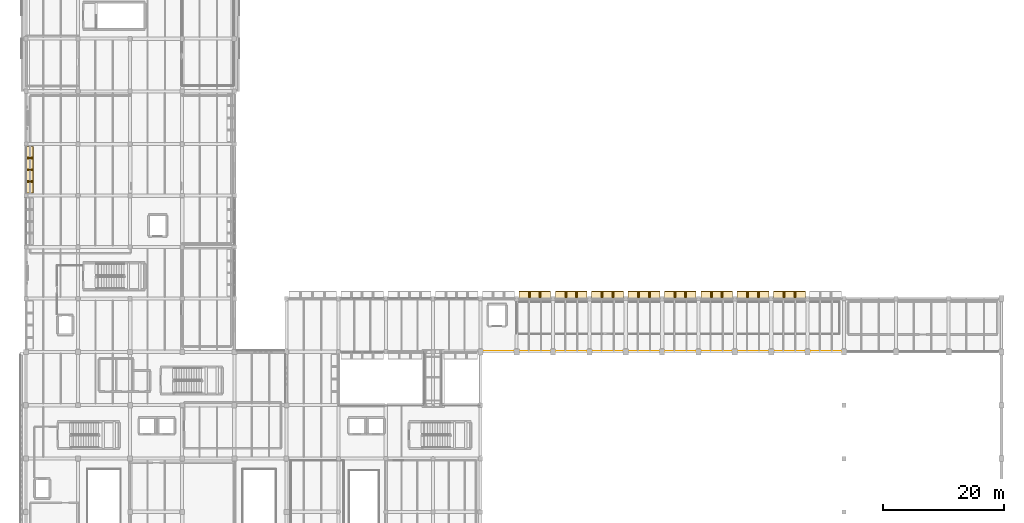
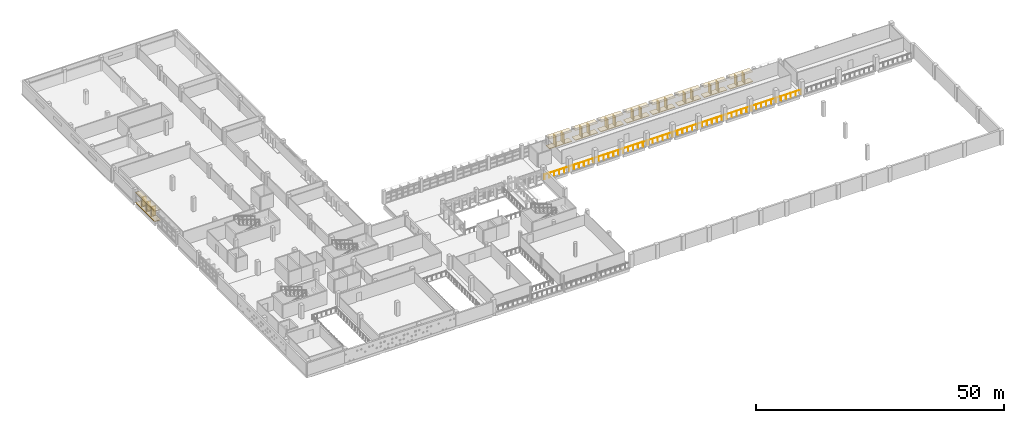
# One storey, part 73 of 75: 19 shading devices, 18 coverings, 1 railing.
"""IFC4 building model written with IfcOpenShell, lengths in metres."""

from ifc_helpers import new_model, si_unit, direction, frame, origin, origin_2d, place, context, subcontext, project, spatial, polyline, rectangle, circle, outline, extrude, material, layer, layer_set, type_object, element, save


model = new_model("IFC4")

# Units and contexts
model_context = context("Model", 3, precision=1e-05, world=origin(), true_north=direction((0.0, 1.0)))
body_context = subcontext(model_context, "Body", "Model", "MODEL_VIEW")
ifc_project = project(units=[si_unit("LENGTHUNIT", "METRE"), si_unit("AREAUNIT", "SQUARE_METRE"), si_unit("VOLUMEUNIT", "CUBIC_METRE"), si_unit("PLANEANGLEUNIT", "RADIAN"), si_unit("MASSUNIT", "GRAM", prefix="KILO")], contexts=[model_context])

# Site, building, storey
site_placement = place(None, origin())
site = spatial("IfcSite", under=ifc_project, at=site_placement, CompositionType="ELEMENT")
building_placement = place(site_placement, origin())
building = spatial("IfcBuilding", under=site, at=building_placement, Name="Varnakota Cinema and Media Centre", CompositionType="ELEMENT")
storey_placement = place(building_placement, frame((0.0, 0.0, 8.39990234375)))
storey = spatial("IfcBuildingStorey", under=building, at=storey_placement, Name="L02", CompositionType="ELEMENT", Elevation=8.39990234375)

# Coverings
ifc_material_1 = material(Name="Precast concrete M40", Category="concrete")
ifc_layer_1 = layer(ifc_material_1, 0.159912109375)
ifc_layer_set_1 = layer_set([ifc_layer_1], Name="Precast concrete M40")
covering_type = type_object("IfcCoveringType", Name="COV-CHAJJA-160", PredefinedType="CLADDING", material=ifc_layer_set_1)
covering_1_placement = place(storey_placement, frame((0.0, 0.0, 2.4150390625)))
element("IfcCovering", 1, at=covering_1_placement, inside=storey, type_object=covering_type, Name="L02 Brutalist chajja overhang V1-N-2", PredefinedType="CLADDING", context=body_context, shape_type="SweptSolid", body=[
    extrude(outline(polyline([(81.364990234375, 43.820068359375), (86.610107421875, 43.820068359375), (86.610107421875, 45.219970703125), (81.364990234375, 45.219970703125), (81.364990234375, 43.820068359375)])), origin(), (0.0, 0.0, 1.0), 0.16015625),
])
covering_2_placement = place(storey_placement, origin())
element("IfcCovering", 2, at=covering_2_placement, inside=storey, type_object=covering_type, Name="L02 brise-soleil base plinth V1-N-2", PredefinedType="CLADDING", context=body_context, shape_type="SweptSolid", body=[
    extrude(outline(polyline([(81.364990234375, 43.820068359375), (86.610107421875, 43.820068359375), (86.610107421875, 45.179931640625), (81.364990234375, 45.179931640625), (81.364990234375, 43.820068359375)])), origin(), (0.0, 0.0, 1.0), 0.16015625),
])
covering_3_placement = place(storey_placement, frame((0.0, 0.0, 2.4150390625)))
element("IfcCovering", 3, at=covering_3_placement, inside=storey, type_object=covering_type, Name="L02 Brutalist chajja overhang V1-N-3", PredefinedType="CLADDING", context=body_context, shape_type="SweptSolid", body=[
    extrude(outline(polyline([(87.389892578125, 43.820068359375), (92.635009765625, 43.820068359375), (92.635009765625, 45.219970703125), (87.389892578125, 45.219970703125), (87.389892578125, 43.820068359375)])), origin(), (0.0, 0.0, 1.0), 0.16015625),
])
covering_4_placement = place(storey_placement, origin())
element("IfcCovering", 4, at=covering_4_placement, inside=storey, type_object=covering_type, Name="L02 brise-soleil base plinth V1-N-3", PredefinedType="CLADDING", context=body_context, shape_type="SweptSolid", body=[
    extrude(outline(polyline([(87.389892578125, 43.820068359375), (92.635009765625, 43.820068359375), (92.635009765625, 45.179931640625), (87.389892578125, 45.179931640625), (87.389892578125, 43.820068359375)])), origin(), (0.0, 0.0, 1.0), 0.16015625),
])
covering_5_placement = place(storey_placement, frame((0.0, 0.0, 2.4150390625)))
element("IfcCovering", 5, at=covering_5_placement, inside=storey, type_object=covering_type, Name="L02 Brutalist chajja overhang V1-N-4", PredefinedType="CLADDING", context=body_context, shape_type="SweptSolid", body=[
    extrude(outline(polyline([(93.364990234375, 43.820068359375), (98.610107421875, 43.820068359375), (98.610107421875, 45.219970703125), (93.364990234375, 45.219970703125), (93.364990234375, 43.820068359375)])), origin(), (0.0, 0.0, 1.0), 0.16015625),
])
covering_6_placement = place(storey_placement, origin())
element("IfcCovering", 6, at=covering_6_placement, inside=storey, type_object=covering_type, Name="L02 brise-soleil base plinth V1-N-4", PredefinedType="CLADDING", context=body_context, shape_type="SweptSolid", body=[
    extrude(outline(polyline([(93.364990234375, 43.820068359375), (98.610107421875, 43.820068359375), (98.610107421875, 45.179931640625), (93.364990234375, 45.179931640625), (93.364990234375, 43.820068359375)])), origin(), (0.0, 0.0, 1.0), 0.16015625),
])
covering_7_placement = place(storey_placement, frame((0.0, 0.0, 2.4150390625)))
element("IfcCovering", 7, at=covering_7_placement, inside=storey, type_object=covering_type, Name="L02 Brutalist chajja overhang V1-N-5", PredefinedType="CLADDING", context=body_context, shape_type="SweptSolid", body=[
    extrude(outline(polyline([(99.389892578125, 43.820068359375), (104.635009765625, 43.820068359375), (104.635009765625, 45.219970703125), (99.389892578125, 45.219970703125), (99.389892578125, 43.820068359375)])), origin(), (0.0, 0.0, 1.0), 0.16015625),
])
covering_8_placement = place(storey_placement, origin())
element("IfcCovering", 8, at=covering_8_placement, inside=storey, type_object=covering_type, Name="L02 brise-soleil base plinth V1-N-5", PredefinedType="CLADDING", context=body_context, shape_type="SweptSolid", body=[
    extrude(outline(polyline([(99.389892578125, 43.820068359375), (104.635009765625, 43.820068359375), (104.635009765625, 45.179931640625), (99.389892578125, 45.179931640625), (99.389892578125, 43.820068359375)])), origin(), (0.0, 0.0, 1.0), 0.16015625),
])
covering_9_placement = place(storey_placement, frame((0.0, 0.0, 2.4150390625)))
element("IfcCovering", 9, at=covering_9_placement, inside=storey, type_object=covering_type, Name="L02 Brutalist chajja overhang V1-N-6", PredefinedType="CLADDING", context=body_context, shape_type="SweptSolid", body=[
    extrude(outline(polyline([(105.364990234375, 43.820068359375), (110.610107421875, 43.820068359375), (110.610107421875, 45.219970703125), (105.364990234375, 45.219970703125), (105.364990234375, 43.820068359375)])), origin(), (0.0, 0.0, 1.0), 0.16015625),
])
covering_10_placement = place(storey_placement, origin())
element("IfcCovering", 10, at=covering_10_placement, inside=storey, type_object=covering_type, Name="L02 brise-soleil base plinth V1-N-6", PredefinedType="CLADDING", context=body_context, shape_type="SweptSolid", body=[
    extrude(outline(polyline([(105.364990234375, 43.820068359375), (110.610107421875, 43.820068359375), (110.610107421875, 45.179931640625), (105.364990234375, 45.179931640625), (105.364990234375, 43.820068359375)])), origin(), (0.0, 0.0, 1.0), 0.16015625),
])
covering_11_placement = place(storey_placement, frame((0.0, 0.0, 2.4150390625)))
element("IfcCovering", 11, at=covering_11_placement, inside=storey, type_object=covering_type, Name="L02 Brutalist chajja overhang V1-N-7", PredefinedType="CLADDING", context=body_context, shape_type="SweptSolid", body=[
    extrude(outline(polyline([(111.389892578125, 43.820068359375), (116.635009765625, 43.820068359375), (116.635009765625, 45.219970703125), (111.389892578125, 45.219970703125), (111.389892578125, 43.820068359375)])), origin(), (0.0, 0.0, 1.0), 0.16015625),
])
covering_12_placement = place(storey_placement, origin())
element("IfcCovering", 12, at=covering_12_placement, inside=storey, type_object=covering_type, Name="L02 brise-soleil base plinth V1-N-7", PredefinedType="CLADDING", context=body_context, shape_type="SweptSolid", body=[
    extrude(outline(polyline([(111.389892578125, 43.820068359375), (116.635009765625, 43.820068359375), (116.635009765625, 45.179931640625), (111.389892578125, 45.179931640625), (111.389892578125, 43.820068359375)])), origin(), (0.0, 0.0, 1.0), 0.16015625),
])
covering_13_placement = place(storey_placement, frame((0.0, 0.0, 2.4150390625)))
element("IfcCovering", 13, at=covering_13_placement, inside=storey, type_object=covering_type, Name="L02 Brutalist chajja overhang V1-N-8", PredefinedType="CLADDING", context=body_context, shape_type="SweptSolid", body=[
    extrude(outline(polyline([(117.364990234375, 43.820068359375), (122.610107421875, 43.820068359375), (122.610107421875, 45.219970703125), (117.364990234375, 45.219970703125), (117.364990234375, 43.820068359375)])), origin(), (0.0, 0.0, 1.0), 0.16015625),
])
covering_14_placement = place(storey_placement, origin())
element("IfcCovering", 14, at=covering_14_placement, inside=storey, type_object=covering_type, Name="L02 brise-soleil base plinth V1-N-8", PredefinedType="CLADDING", context=body_context, shape_type="SweptSolid", body=[
    extrude(outline(polyline([(117.364990234375, 43.820068359375), (122.610107421875, 43.820068359375), (122.610107421875, 45.179931640625), (117.364990234375, 45.179931640625), (117.364990234375, 43.820068359375)])), origin(), (0.0, 0.0, 1.0), 0.16015625),
])
covering_15_placement = place(storey_placement, frame((0.0, 0.0, 2.4150390625)))
element("IfcCovering", 15, at=covering_15_placement, inside=storey, type_object=covering_type, Name="L02 Brutalist chajja overhang V1-N-9", PredefinedType="CLADDING", context=body_context, shape_type="SweptSolid", body=[
    extrude(outline(polyline([(123.389892578125, 43.820068359375), (128.635009765625, 43.820068359375), (128.635009765625, 45.219970703125), (123.389892578125, 45.219970703125), (123.389892578125, 43.820068359375)])), origin(), (0.0, 0.0, 1.0), 0.16015625),
])
covering_16_placement = place(storey_placement, origin())
element("IfcCovering", 16, at=covering_16_placement, inside=storey, type_object=covering_type, Name="L02 brise-soleil base plinth V1-N-9", PredefinedType="CLADDING", context=body_context, shape_type="SweptSolid", body=[
    extrude(outline(polyline([(123.389892578125, 43.820068359375), (128.635009765625, 43.820068359375), (128.635009765625, 45.179931640625), (123.389892578125, 45.179931640625), (123.389892578125, 43.820068359375)])), origin(), (0.0, 0.0, 1.0), 0.16015625),
])
covering_17_placement = place(storey_placement, frame((0.0, 0.0, 2.51513671875)))
element("IfcCovering", 17, at=covering_17_placement, inside=storey, type_object=covering_type, Name="L02 Brutalist chajja overhang V5-W-2", PredefinedType="CLADDING", context=body_context, shape_type="SweptSolid", body=[
    extrude(outline(polyline([(-0.179931640625, 69.110107421875), (-0.179931640625, 61.4150390625), (1.219970703125, 61.4150390625), (1.219970703125, 69.110107421875), (-0.179931640625, 69.110107421875)])), origin(), (0.0, 0.0, 1.0), 0.159912109375),
])
covering_18_placement = place(storey_placement, origin())
element("IfcCovering", 18, at=covering_18_placement, inside=storey, type_object=covering_type, Name="L02 brise-soleil base plinth V5-W-2", PredefinedType="CLADDING", context=body_context, shape_type="SweptSolid", body=[
    extrude(outline(polyline([(-0.179931640625, 69.110107421875), (-0.179931640625, 61.4150390625), (1.179931640625, 61.4150390625), (1.179931640625, 69.110107421875), (-0.179931640625, 69.110107421875)])), origin(), (0.0, 0.0, 1.0), 0.16015625),
])

# Railing
ifc_material_2 = material(Name="Anodised golden-bronze steel Grade 350 (E350)", Category="steel")
ifc_layer_2 = layer(ifc_material_2, 0.050048828125)
ifc_layer_set_2 = layer_set([ifc_layer_2], Name="Anodised golden-bronze steel Grade 350 (E350)")
railing_type = type_object("IfcRailingType", Name="RAIL-GUARD-1150", PredefinedType="BALUSTRADE", material=ifc_layer_set_2)
railing_placement = place(storey_placement, frame((75.280029296875, 35.260009765625, 0.0)))
element("IfcRailing", 19, at=railing_placement, inside=storey, type_object=railing_type, Name="L02 guard balustrade GRD-L02-V1CONC-1", PredefinedType="BALUSTRADE", context=body_context, shape_type="SweptSolid", body=[
    extrude(circle(Radius=0.02392578125, at=origin_2d()), frame((0.0, 0.0, 1.1259765625), z_axis=(1.0, 0.0, 0.0), x_axis=(0.0, 1.0, 0.0)), (0.0, 0.0, 1.0), 59.5400390625),
    extrude(circle(Radius=0.02099609375, at=origin_2d()), origin(), (0.0, 0.0, 1.0), 1.101806640625),
    extrude(circle(Radius=0.02099609375, at=origin_2d()), frame((1.14501953125, 0.0, 0.0)), (0.0, 0.0, 1.0), 1.101806640625),
    extrude(circle(Radius=0.02099609375, at=origin_2d()), frame((2.2900390625, 0.0, 0.0)), (0.0, 0.0, 1.0), 1.101806640625),
    extrude(circle(Radius=0.02099609375, at=origin_2d()), frame((3.43505859375, 0.0, 0.0)), (0.0, 0.0, 1.0), 1.101806640625),
    extrude(circle(Radius=0.02099609375, at=origin_2d()), frame((4.580078125, 0.0, 0.0)), (0.0, 0.0, 1.0), 1.101806640625),
    extrude(circle(Radius=0.02099609375, at=origin_2d()), frame((5.72509765625, 0.0, 0.0)), (0.0, 0.0, 1.0), 1.101806640625),
    extrude(circle(Radius=0.02099609375, at=origin_2d()), frame((6.8701171875, 0.0, 0.0)), (0.0, 0.0, 1.0), 1.101806640625),
    extrude(circle(Radius=0.02099609375, at=origin_2d()), frame((8.014892578125, 0.0, 0.0)), (0.0, 0.0, 1.0), 1.101806640625),
    extrude(circle(Radius=0.02099609375, at=origin_2d()), frame((9.159912109375, 0.0, 0.0)), (0.0, 0.0, 1.0), 1.101806640625),
    extrude(circle(Radius=0.02099609375, at=origin_2d()), frame((10.304931640625, 0.0, 0.0)), (0.0, 0.0, 1.0), 1.101806640625),
    extrude(circle(Radius=0.02099609375, at=origin_2d()), frame((11.449951171875, 0.0, 0.0)), (0.0, 0.0, 1.0), 1.101806640625),
    extrude(circle(Radius=0.02099609375, at=origin_2d()), frame((12.594970703125, 0.0, 0.0)), (0.0, 0.0, 1.0), 1.101806640625),
    extrude(circle(Radius=0.02099609375, at=origin_2d()), frame((13.739990234375, 0.0, 0.0)), (0.0, 0.0, 1.0), 1.101806640625),
    extrude(circle(Radius=0.02099609375, at=origin_2d()), frame((14.885009765625, 0.0, 0.0)), (0.0, 0.0, 1.0), 1.101806640625),
    extrude(circle(Radius=0.02099609375, at=origin_2d()), frame((16.030029296875, 0.0, 0.0)), (0.0, 0.0, 1.0), 1.101806640625),
    extrude(circle(Radius=0.02099609375, at=origin_2d()), frame((17.175048828125, 0.0, 0.0)), (0.0, 0.0, 1.0), 1.101806640625),
    extrude(circle(Radius=0.02099609375, at=origin_2d()), frame((18.320068359375, 0.0, 0.0)), (0.0, 0.0, 1.0), 1.101806640625),
    extrude(circle(Radius=0.02099609375, at=origin_2d()), frame((19.465087890625, 0.0, 0.0)), (0.0, 0.0, 1.0), 1.101806640625),
    extrude(circle(Radius=0.02099609375, at=origin_2d()), frame((20.610107421875, 0.0, 0.0)), (0.0, 0.0, 1.0), 1.101806640625),
    extrude(circle(Radius=0.02099609375, at=origin_2d()), frame((21.755126953125, 0.0, 0.0)), (0.0, 0.0, 1.0), 1.101806640625),
    extrude(circle(Radius=0.02099609375, at=origin_2d()), frame((22.89990234375, 0.0, 0.0)), (0.0, 0.0, 1.0), 1.101806640625),
    extrude(circle(Radius=0.02099609375, at=origin_2d()), frame((24.044921875, 0.0, 0.0)), (0.0, 0.0, 1.0), 1.101806640625),
    extrude(circle(Radius=0.02099609375, at=origin_2d()), frame((25.18994140625, 0.0, 0.0)), (0.0, 0.0, 1.0), 1.101806640625),
    extrude(circle(Radius=0.02099609375, at=origin_2d()), frame((26.3349609375, 0.0, 0.0)), (0.0, 0.0, 1.0), 1.101806640625),
    extrude(circle(Radius=0.02099609375, at=origin_2d()), frame((27.47998046875, 0.0, 0.0)), (0.0, 0.0, 1.0), 1.101806640625),
    extrude(circle(Radius=0.02099609375, at=origin_2d()), frame((28.625, 0.0, 0.0)), (0.0, 0.0, 1.0), 1.101806640625),
    extrude(circle(Radius=0.02099609375, at=origin_2d()), frame((29.77001953125, 0.0, 0.0)), (0.0, 0.0, 1.0), 1.101806640625),
    extrude(circle(Radius=0.02099609375, at=origin_2d()), frame((30.9150390625, 0.0, 0.0)), (0.0, 0.0, 1.0), 1.101806640625),
    extrude(circle(Radius=0.02099609375, at=origin_2d()), frame((32.06005859375, 0.0, 0.0)), (0.0, 0.0, 1.0), 1.101806640625),
    extrude(circle(Radius=0.02099609375, at=origin_2d()), frame((33.205078125, 0.0, 0.0)), (0.0, 0.0, 1.0), 1.101806640625),
    extrude(circle(Radius=0.02099609375, at=origin_2d()), frame((34.35009765625, 0.0, 0.0)), (0.0, 0.0, 1.0), 1.101806640625),
    extrude(circle(Radius=0.02099609375, at=origin_2d()), frame((35.4951171875, 0.0, 0.0)), (0.0, 0.0, 1.0), 1.101806640625),
    extrude(circle(Radius=0.02099609375, at=origin_2d()), frame((36.64013671875, 0.0, 0.0)), (0.0, 0.0, 1.0), 1.101806640625),
    extrude(circle(Radius=0.02099609375, at=origin_2d()), frame((37.784912109375, 0.0, 0.0)), (0.0, 0.0, 1.0), 1.101806640625),
    extrude(circle(Radius=0.02099609375, at=origin_2d()), frame((38.929931640625, 0.0, 0.0)), (0.0, 0.0, 1.0), 1.101806640625),
    extrude(circle(Radius=0.02099609375, at=origin_2d()), frame((40.074951171875, 0.0, 0.0)), (0.0, 0.0, 1.0), 1.101806640625),
    extrude(circle(Radius=0.02099609375, at=origin_2d()), frame((41.219970703125, 0.0, 0.0)), (0.0, 0.0, 1.0), 1.101806640625),
    extrude(circle(Radius=0.02099609375, at=origin_2d()), frame((42.364990234375, 0.0, 0.0)), (0.0, 0.0, 1.0), 1.101806640625),
    extrude(circle(Radius=0.02099609375, at=origin_2d()), frame((43.510009765625, 0.0, 0.0)), (0.0, 0.0, 1.0), 1.101806640625),
    extrude(circle(Radius=0.02099609375, at=origin_2d()), frame((44.655029296875, 0.0, 0.0)), (0.0, 0.0, 1.0), 1.101806640625),
    extrude(circle(Radius=0.02099609375, at=origin_2d()), frame((45.800048828125, 0.0, 0.0)), (0.0, 0.0, 1.0), 1.101806640625),
    extrude(circle(Radius=0.02099609375, at=origin_2d()), frame((46.945068359375, 0.0, 0.0)), (0.0, 0.0, 1.0), 1.101806640625),
    extrude(circle(Radius=0.02099609375, at=origin_2d()), frame((48.090087890625, 0.0, 0.0)), (0.0, 0.0, 1.0), 1.101806640625),
    extrude(circle(Radius=0.02099609375, at=origin_2d()), frame((49.235107421875, 0.0, 0.0)), (0.0, 0.0, 1.0), 1.101806640625),
    extrude(circle(Radius=0.02099609375, at=origin_2d()), frame((50.380126953125, 0.0, 0.0)), (0.0, 0.0, 1.0), 1.101806640625),
    extrude(circle(Radius=0.02099609375, at=origin_2d()), frame((51.525146484375, 0.0, 0.0)), (0.0, 0.0, 1.0), 1.101806640625),
    extrude(circle(Radius=0.02099609375, at=origin_2d()), frame((52.669921875, 0.0, 0.0)), (0.0, 0.0, 1.0), 1.101806640625),
    extrude(circle(Radius=0.02099609375, at=origin_2d()), frame((53.81494140625, 0.0, 0.0)), (0.0, 0.0, 1.0), 1.101806640625),
    extrude(circle(Radius=0.02099609375, at=origin_2d()), frame((54.9599609375, 0.0, 0.0)), (0.0, 0.0, 1.0), 1.101806640625),
    extrude(circle(Radius=0.02099609375, at=origin_2d()), frame((56.10498046875, 0.0, 0.0)), (0.0, 0.0, 1.0), 1.101806640625),
    extrude(circle(Radius=0.02099609375, at=origin_2d()), frame((57.25, 0.0, 0.0)), (0.0, 0.0, 1.0), 1.101806640625),
    extrude(circle(Radius=0.02099609375, at=origin_2d()), frame((58.39501953125, 0.0, 0.0)), (0.0, 0.0, 1.0), 1.101806640625),
    extrude(circle(Radius=0.02099609375, at=origin_2d()), frame((59.5400390625, 0.0, 0.0)), (0.0, 0.0, 1.0), 1.101806640625),
])

# Shading devices
ifc_material_3 = material(Name="Precast concrete M40", Category="concrete")
shading_device_type = type_object("IfcShadingDeviceType", Name="SHD-BRISE-FIN-240", PredefinedType="JALOUSIE", material=ifc_material_3)
for number, where, z_axis, x_axis, name in (
    (20, (83.10009765625, 44.6298828125, 0.150146484375), (0.0, 0.0, 1.0), (1.0, 0.0, 0.0), "L02 vertical concrete brise-soleil fin V1-N-2.1"),
    (21, (84.875, 44.6298828125, 0.150146484375), (0.0, 0.0, 1.0), (1.0, 0.0, 0.0), "L02 vertical concrete brise-soleil fin V1-N-2.2"),
    (22, (89.125, 44.6298828125, 0.150146484375), (0.0, 0.0, 1.0), (1.0, 0.0, 0.0), "L02 vertical concrete brise-soleil fin V1-N-3.1"),
    (23, (90.89990234375, 44.6298828125, 0.150146484375), (0.0, 0.0, 1.0), (1.0, 0.0, 0.0), "L02 vertical concrete brise-soleil fin V1-N-3.2"),
    (24, (95.10009765625, 44.6298828125, 0.150146484375), (0.0, 0.0, 1.0), (1.0, 0.0, 0.0), "L02 vertical concrete brise-soleil fin V1-N-4.1"),
    (25, (96.875, 44.6298828125, 0.150146484375), (0.0, 0.0, 1.0), (1.0, 0.0, 0.0), "L02 vertical concrete brise-soleil fin V1-N-4.2"),
    (26, (101.125, 44.6298828125, 0.150146484375), (0.0, 0.0, 1.0), (1.0, 0.0, 0.0), "L02 vertical concrete brise-soleil fin V1-N-5.1"),
    (27, (102.89990234375, 44.6298828125, 0.150146484375), (0.0, 0.0, 1.0), (1.0, 0.0, 0.0), "L02 vertical concrete brise-soleil fin V1-N-5.2"),
    (28, (107.10009765625, 44.6298828125, 0.150146484375), (0.0, 0.0, 1.0), (1.0, 0.0, 0.0), "L02 vertical concrete brise-soleil fin V1-N-6.1"),
    (29, (108.875, 44.6298828125, 0.150146484375), (0.0, 0.0, 1.0), (1.0, 0.0, 0.0), "L02 vertical concrete brise-soleil fin V1-N-6.2"),
    (30, (113.125, 44.6298828125, 0.150146484375), (0.0, 0.0, 1.0), (1.0, 0.0, 0.0), "L02 vertical concrete brise-soleil fin V1-N-7.1"),
    (31, (114.89990234375, 44.6298828125, 0.150146484375), (0.0, 0.0, 1.0), (1.0, 0.0, 0.0), "L02 vertical concrete brise-soleil fin V1-N-7.2"),
    (32, (119.10009765625, 44.6298828125, 0.150146484375), (0.0, 0.0, 1.0), (1.0, 0.0, 0.0), "L02 vertical concrete brise-soleil fin V1-N-8.1"),
    (33, (120.875, 44.6298828125, 0.150146484375), (0.0, 0.0, 1.0), (1.0, 0.0, 0.0), "L02 vertical concrete brise-soleil fin V1-N-8.2"),
    (34, (125.125, 44.6298828125, 0.150146484375), (0.0, 0.0, 1.0), (1.0, 0.0, 0.0), "L02 vertical concrete brise-soleil fin V1-N-9.1"),
    (35, (126.89990234375, 44.6298828125, 0.150146484375), (0.0, 0.0, 1.0), (1.0, 0.0, 0.0), "L02 vertical concrete brise-soleil fin V1-N-9.2"),
):
    element("IfcShadingDevice", number, at=place(storey_placement, frame(where, z_axis=z_axis, x_axis=x_axis)), inside=storey, type_object=shading_device_type, Name=name, PredefinedType="JALOUSIE", context=body_context, shape_type="SweptSolid", body=[
        extrude(rectangle(XDim=0.239990234375, YDim=1.02001953125, at=origin_2d()), origin(), (0.0, 0.0, 1.0), 2.27490234375),
    ])
for number, where, z_axis, x_axis, name in (
    (36, (0.6298828125, 67.206298828125, 0.150146484375), (0.0, 0.0, 1.0), (0.0, -1.0, 0.0), "L02 vertical concrete brise-soleil fin V5-W-2.1"),
    (37, (0.6298828125, 65.262451171875, 0.150146484375), (0.0, 0.0, 1.0), (0.0, -1.0, 0.0), "L02 vertical concrete brise-soleil fin V5-W-2.2"),
    (38, (0.6298828125, 63.318603515625, 0.150146484375), (0.0, 0.0, 1.0), (0.0, -1.0, 0.0), "L02 vertical concrete brise-soleil fin V5-W-2.3"),
):
    element("IfcShadingDevice", number, at=place(storey_placement, frame(where, z_axis=z_axis, x_axis=x_axis)), inside=storey, type_object=shading_device_type, Name=name, PredefinedType="JALOUSIE", context=body_context, shape_type="SweptSolid", body=[
        extrude(rectangle(XDim=0.239990234375, YDim=1.02001953125, at=origin_2d()), origin(), (0.0, 0.0, 1.0), 2.375),
    ])

save(model, "model.ifc")
